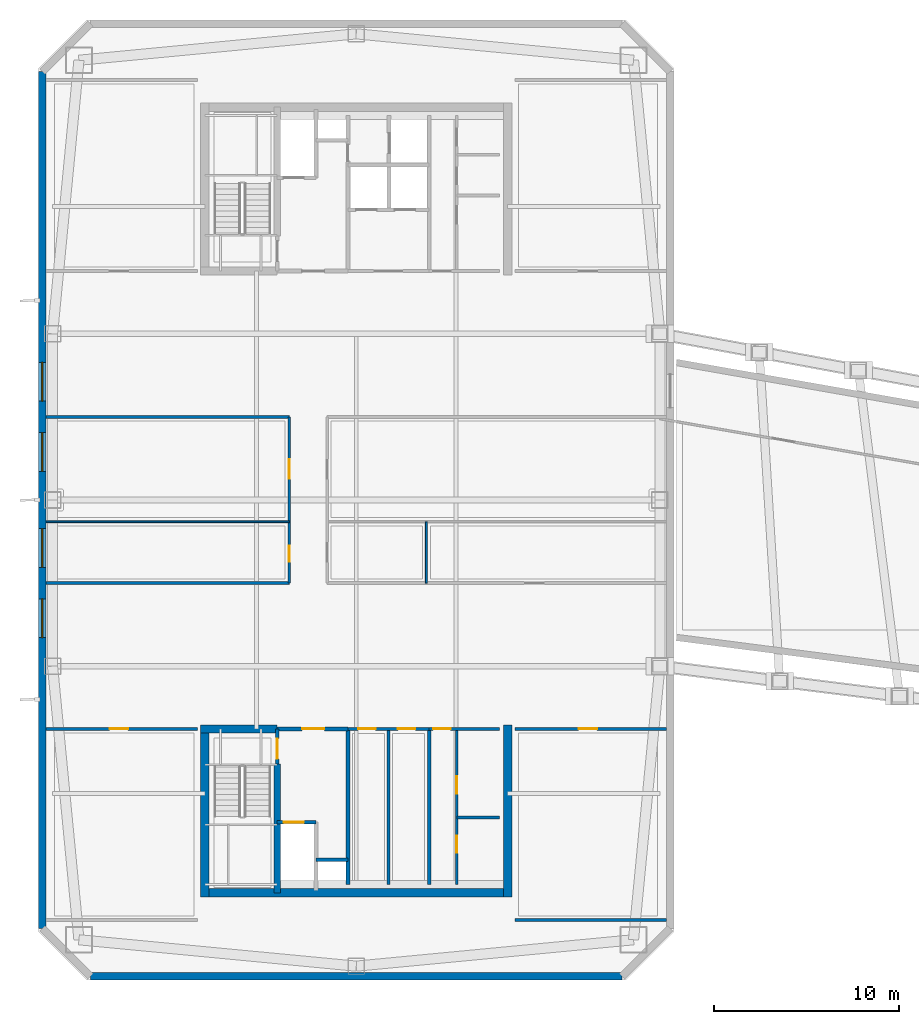
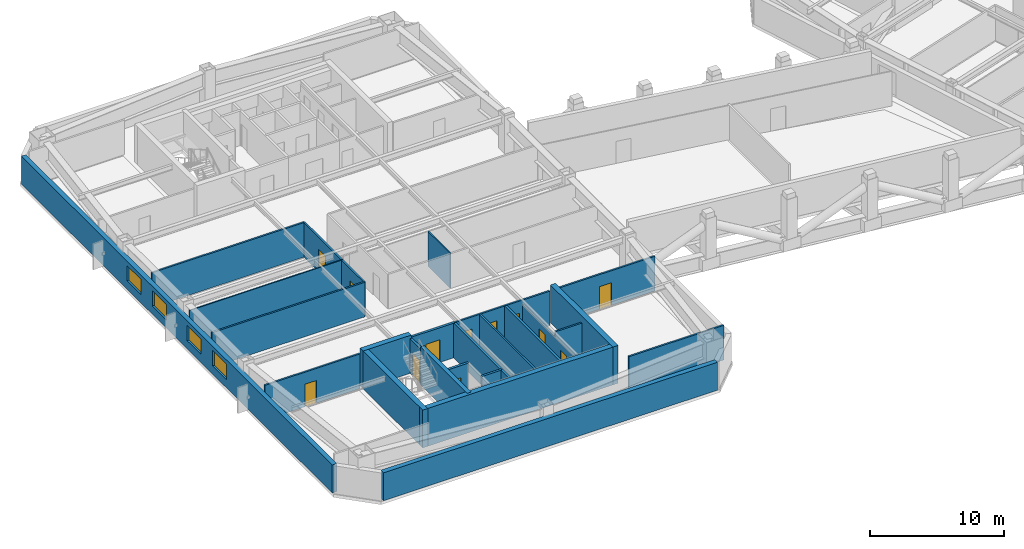
# One storey, part 6 of 19: 26 walls, 12 doors, 4 windows, 16 openings.
"""IFC4 building model written with IfcOpenShell, lengths in metres."""

from ifc_helpers import new_model, si_unit, direction, frame, frame_2d, origin, place, context, subcontext, project, spatial, rectangle, extrude, material, layer, layer_set, type_object, element, fill, save


model = new_model("IFC4")

# Units and contexts
model_context = context("Model", 3, precision=1e-05, world=origin(), true_north=direction((0.0, 1.0)))
body_context = subcontext(model_context, "Body", "Model", "MODEL_VIEW")
ifc_project = project(units=[si_unit("LENGTHUNIT", "METRE"), si_unit("AREAUNIT", "SQUARE_METRE"), si_unit("VOLUMEUNIT", "CUBIC_METRE"), si_unit("PLANEANGLEUNIT", "RADIAN"), si_unit("MASSUNIT", "GRAM", prefix="KILO")], contexts=[model_context])

# Site, building, storey
site_placement = place(None, origin())
site = spatial("IfcSite", under=ifc_project, at=site_placement, CompositionType="ELEMENT")
building_placement = place(site_placement, origin())
building = spatial("IfcBuilding", under=site, at=building_placement, Name="Qiaolan Cultural Towers", CompositionType="ELEMENT")
storey_placement = place(building_placement, frame((0.0, 0.0, 216.199951171875)))
storey = spatial("IfcBuildingStorey", under=building, at=storey_placement, Name="L58", CompositionType="ELEMENT", Elevation=216.199951171875)

# Walls
ifc_material_1 = material(Name="Concrete C50", Category="concrete")
ifc_layer_1 = layer(ifc_material_1, 0.35009765625)
ifc_layer_set_1 = layer_set([ifc_layer_1], Name="Concrete C50")
wall_type_1 = type_object("IfcWallType", Name="WL-CORE-350", PredefinedType="SHEAR", material=ifc_layer_set_1)
wall_1_placement = place(storey_placement, frame((25.719970703125, 19.699951171875, 0.0), z_axis=(0.0, 0.0, 1.0), x_axis=(0.0, -1.0, 0.0)))
element("IfcWall", 1, at=wall_1_placement, inside=storey, type_object=wall_type_1, Name="L58 T1-CS Stair Core Dividing Web", PredefinedType="SHEAR", context=body_context, shape_type="SweptSolid", body=[
    extrude(rectangle(XDim=6.97998046875, YDim=0.35009765625, at=frame_2d((3.489990234375, 0.0))), origin(), (0.0, 0.0, 1.0), 3.449951171875),
])
ifc_material_2 = material(Name="Concrete C50", Category="concrete")
ifc_layer_2 = layer(ifc_material_2, 0.449951171875)
ifc_layer_set_2 = layer_set([ifc_layer_2], Name="Concrete C50")
wall_type_2 = type_object("IfcWallType", Name="WL-CORE-450", PredefinedType="SHEAR", material=ifc_layer_set_2)
wall_2_placement = place(storey_placement, frame((21.574951171875, 12.719970703125, 0.0), z_axis=(0.0, 0.0, 1.0), x_axis=(1.0, 0.0, 0.0)))
element("IfcWall", 2, at=wall_2_placement, inside=storey, type_object=wall_type_2, Name="L58 T1-CS Outer Core Shear Wall", PredefinedType="SHEAR", context=body_context, shape_type="SweptSolid", body=[
    extrude(rectangle(XDim=16.85009765625, YDim=0.449951171875, at=frame_2d((8.425048828125, 0.0))), origin(), (0.0, 0.0, 1.0), 3.449951171875),
])
for number, where, z_axis, x_axis, name in (
    (3, (21.800048828125, 21.824951171875, 0.0), (0.0, 0.0, 1.0), (0.0, -1.0, 0.0), "L58 T1-CS West Core Shear Wall"),
    (4, (38.199951171875, 21.824951171875, 0.0), (0.0, 0.0, 1.0), (0.0, -1.0, 0.0), "L58 T1-CS East Core Shear Wall"),
):
    element("IfcWall", number, at=place(storey_placement, frame(where, z_axis=z_axis, x_axis=x_axis)), inside=storey, type_object=wall_type_2, Name=name, PredefinedType="SHEAR", context=body_context, shape_type="SweptSolid", body=[
        extrude(rectangle(XDim=9.329833984375, YDim=0.449951171875, at=frame_2d((4.6650390625, 0.0))), origin(), (0.0, 0.0, 1.0), 3.449951171875),
    ])
wall_3_placement = place(storey_placement, frame((21.574951171875, 21.60009765625, 0.0), z_axis=(0.0, 0.0, 1.0), x_axis=(1.0, 0.0, 0.0)))
element("IfcWall", 5, at=wall_3_placement, inside=storey, type_object=wall_type_2, Name="L58 T1-CS Stair Front Shear Wall", PredefinedType="SHEAR", context=body_context, shape_type="SweptSolid", body=[
    extrude(rectangle(XDim=4.14501953125, YDim=0.449951171875, at=frame_2d((2.072509765625, 0.0))), origin(), (0.0, 0.0, 1.0), 3.449951171875),
])

# Wall, openings, windows
ifc_material_3 = material(Name="Precast Concrete C50 Honed Stone Pier", Category="masonry")
ifc_layer_3 = layer(ifc_material_3, 0.39990234375)
ifc_layer_set_3 = layer_set([ifc_layer_3], Name="Precast Concrete C50 Honed Stone Pier")
wall_type_3 = type_object("IfcWallType", Name="WL-EXT-PIER-400", PredefinedType="SOLIDWALL", material=ifc_layer_set_3)
wall_4_placement = place(storey_placement, frame((13.0, 10.800048828125, 0.0), z_axis=(0.0, 0.0, 1.0), x_axis=(0.0, 1.0, 0.0)))
wall_4 = element("IfcWall", 6, at=wall_4_placement, inside=storey, type_object=wall_type_3, Name="L58 West Tower Precast Pier Facade Wall F1", PredefinedType="SOLIDWALL", context=body_context, shape_type="SweptSolid", body=[
    extrude(rectangle(XDim=46.39990234375, YDim=0.39990234375, at=frame_2d((23.199951171875, 0.0))), origin(), (0.0, 0.0, 1.0), 2.550048828125),
])
opening_1_placement = place(wall_4_placement, frame((15.75, 0.0, 0.75)))
opening_1 = element("IfcOpeningElement", 7, at=opening_1_placement, cuts=wall_4, Name="Opening W-05", PredefinedType="OPENING", context=body_context, shape_type="SweptSolid", body=[
    extrude(rectangle(XDim=2.10009765625, YDim=1.39990234375, at=frame_2d((1.050048828125, 0.699951171875))), frame((0.0, 0.2099609375, 0.0), z_axis=(0.0, -1.0, 0.0), x_axis=(1.0, 0.0, 0.0)), (0.0, 0.0, 1.0), 0.419921875),
])
opening_2_placement = place(wall_4_placement, frame((19.550048828125, 0.0, 0.75)))
opening_2 = element("IfcOpeningElement", 8, at=opening_2_placement, cuts=wall_4, Name="Opening W-05", PredefinedType="OPENING", context=body_context, shape_type="SweptSolid", body=[
    extrude(rectangle(XDim=2.10009765625, YDim=1.39990234375, at=frame_2d((1.050048828125, 0.699951171875))), frame((0.0, 0.2099609375, 0.0), z_axis=(0.0, -1.0, 0.0), x_axis=(1.0, 0.0, 0.0)), (0.0, 0.0, 1.0), 0.419921875),
])
opening_3_placement = place(wall_4_placement, frame((24.75, 0.0, 0.75)))
opening_3 = element("IfcOpeningElement", 9, at=opening_3_placement, cuts=wall_4, Name="Opening W-05", PredefinedType="OPENING", context=body_context, shape_type="SweptSolid", body=[
    extrude(rectangle(XDim=2.10009765625, YDim=1.39990234375, at=frame_2d((1.050048828125, 0.699951171875))), frame((0.0, 0.2099609375, 0.0), z_axis=(0.0, -1.0, 0.0), x_axis=(1.0, 0.0, 0.0)), (0.0, 0.0, 1.0), 0.419921875),
])
opening_4_placement = place(wall_4_placement, frame((28.550048828125, 0.0, 0.75)))
opening_4 = element("IfcOpeningElement", 10, at=opening_4_placement, cuts=wall_4, Name="Opening W-05", PredefinedType="OPENING", context=body_context, shape_type="SweptSolid", body=[
    extrude(rectangle(XDim=2.10009765625, YDim=1.39990234375, at=frame_2d((1.050048828125, 0.699951171875))), frame((0.0, 0.2099609375, 0.0), z_axis=(0.0, -1.0, 0.0), x_axis=(1.0, 0.0, 0.0)), (0.0, 0.0, 1.0), 0.419921875),
])
ifc_material_4 = material(Name="Thermally Broken Aluminium Triple Low-E Glazing", Category="aluminium")
window_type = type_object("IfcWindowType", Name="WN-CHIC-2100", PartitioningType="SINGLE_PANEL", PredefinedType="WINDOW", material=ifc_material_4)
window_1_placement = place(opening_1_placement, origin())
window_1 = element("IfcWindow", 11, at=window_1_placement, inside=storey, type_object=window_type, Name="L58 T1 W Chicago Bay Window 1", OverallHeight=1.39990234375, OverallWidth=2.10009765625, PartitioningType="TRIPLE_PANEL_VERTICAL", PredefinedType="WINDOW", context=body_context, shape_type="SweptSolid", body=[
    extrude(rectangle(XDim=2.10009765625, YDim=1.39990234375, at=frame_2d((1.050048828125, 0.699951171875))), frame((0.0, 0.030029296875, 0.0), z_axis=(0.0, -1.0, 0.0), x_axis=(1.0, 0.0, 0.0)), (0.0, 0.0, 1.0), 0.06005859375),
])
fill(opening_1, window_1)
window_2_placement = place(opening_2_placement, origin())
window_2 = element("IfcWindow", 12, at=window_2_placement, inside=storey, type_object=window_type, Name="L58 T1 W Chicago Bay Window 2", OverallHeight=1.39990234375, OverallWidth=2.10009765625, PartitioningType="TRIPLE_PANEL_VERTICAL", PredefinedType="WINDOW", context=body_context, shape_type="SweptSolid", body=[
    extrude(rectangle(XDim=2.10009765625, YDim=1.39990234375, at=frame_2d((1.050048828125, 0.699951171875))), frame((0.0, 0.030029296875, 0.0), z_axis=(0.0, -1.0, 0.0), x_axis=(1.0, 0.0, 0.0)), (0.0, 0.0, 1.0), 0.06005859375),
])
fill(opening_2, window_2)
window_3_placement = place(opening_3_placement, origin())
window_3 = element("IfcWindow", 13, at=window_3_placement, inside=storey, type_object=window_type, Name="L58 T1 W Chicago Bay Window 3", OverallHeight=1.39990234375, OverallWidth=2.10009765625, PartitioningType="TRIPLE_PANEL_VERTICAL", PredefinedType="WINDOW", context=body_context, shape_type="SweptSolid", body=[
    extrude(rectangle(XDim=2.10009765625, YDim=1.39990234375, at=frame_2d((1.050048828125, 0.699951171875))), frame((0.0, 0.030029296875, 0.0), z_axis=(0.0, -1.0, 0.0), x_axis=(1.0, 0.0, 0.0)), (0.0, 0.0, 1.0), 0.06005859375),
])
fill(opening_3, window_3)
window_4_placement = place(opening_4_placement, origin())
window_4 = element("IfcWindow", 14, at=window_4_placement, inside=storey, type_object=window_type, Name="L58 T1 W Chicago Bay Window 4", OverallHeight=1.39990234375, OverallWidth=2.10009765625, PartitioningType="TRIPLE_PANEL_VERTICAL", PredefinedType="WINDOW", context=body_context, shape_type="SweptSolid", body=[
    extrude(rectangle(XDim=2.10009765625, YDim=1.39990234375, at=frame_2d((1.050048828125, 0.699951171875))), frame((0.0, 0.030029296875, 0.0), z_axis=(0.0, -1.0, 0.0), x_axis=(1.0, 0.0, 0.0)), (0.0, 0.0, 1.0), 0.06005859375),
])
fill(opening_4, window_4)

# Wall
wall_5_placement = place(storey_placement, frame((44.39990234375, 8.199951171875, 0.0), z_axis=(0.0, 0.0, 1.0), x_axis=(-1.0, 0.0, 0.0)))
element("IfcWall", 15, at=wall_5_placement, inside=storey, type_object=wall_type_3, Name="L58 West Tower Precast Pier Facade Wall F7", PredefinedType="SOLIDWALL", context=body_context, shape_type="SweptSolid", body=[
    extrude(rectangle(XDim=28.7998046875, YDim=0.39990234375, at=frame_2d((14.39990234375, 0.0))), origin(), (0.0, 0.0, 1.0), 2.550048828125),
])

# Wall, opening, door
ifc_material_5 = material(Name="Concrete C35 Fire Wall", Category="concrete")
ifc_layer_4 = layer(ifc_material_5, 0.199951171875)
ifc_layer_set_4 = layer_set([ifc_layer_4], Name="Concrete C35 Fire Wall")
wall_type_4 = type_object("IfcWallType", Name="WL-FIRE-200", PredefinedType="PARTITIONING", material=ifc_layer_set_4)
wall_6_placement = place(storey_placement, frame((25.719970703125, 21.60009765625, 0.0), z_axis=(0.0, 0.0, 1.0), x_axis=(0.0, -1.0, 0.0)))
wall_6 = element("IfcWall", 16, at=wall_6_placement, inside=storey, type_object=wall_type_4, Name="L58 T1-CS Smokeproof Stair Entry Wall", PredefinedType="PARTITIONING", context=body_context, shape_type="SweptSolid", body=[
    extrude(rectangle(XDim=1.900146484375, YDim=0.199951171875, at=frame_2d((0.9501953125, 0.0))), origin(), (0.0, 0.0, 1.0), 3.155029296875),
])
opening_5_placement = place(wall_6_placement, frame((0.52001953125, 0.0, 0.0)))
opening_5 = element("IfcOpeningElement", 17, at=opening_5_placement, cuts=wall_6, Name="Opening FD-04", PredefinedType="OPENING", context=body_context, shape_type="SweptSolid", body=[
    extrude(rectangle(XDim=1.10009765625, YDim=2.050048828125, at=frame_2d((0.550048828125, 1.02490234375))), frame((0.0, 0.10986328125, 0.0), z_axis=(0.0, -1.0, 0.0), x_axis=(1.0, 0.0, 0.0)), (0.0, 0.0, 1.0), 0.219970703125),
])
ifc_material_6 = material(Name="Galvanized Steel Command Fire Door", Category="steel")
door_type_1 = type_object("IfcDoorType", Name="DR-FD90-1100", OperationType="NOTDEFINED", PredefinedType="DOOR", material=ifc_material_6)
door_1_placement = place(opening_5_placement, origin())
door_1 = element("IfcDoor", 18, at=door_1_placement, inside=storey, type_object=door_type_1, Name="L58 ST-W1 Smokeproof Stair Fire Door", OperationType="SINGLE_SWING_LEFT", OverallHeight=2.050048828125, OverallWidth=1.10009765625, PredefinedType="DOOR", context=body_context, shape_type="SweptSolid", body=[
    extrude(rectangle(XDim=1.10009765625, YDim=2.050048828125, at=frame_2d((0.550048828125, 1.02490234375))), frame((0.0, 0.02490234375, 0.0), z_axis=(0.0, -1.0, 0.0), x_axis=(1.0, 0.0, 0.0)), (0.0, 0.0, 1.0), 0.050048828125),
])
fill(opening_5, door_1)

# Wall
wall_7_placement = place(storey_placement, frame((29.550048828125, 21.60009765625, 0.0), z_axis=(0.0, 0.0, 1.0), x_axis=(0.0, -1.0, 0.0)))
element("IfcWall", 19, at=wall_7_placement, inside=storey, type_object=wall_type_4, Name="L58 T1-CS Firefighting Zone Wall", PredefinedType="PARTITIONING", context=body_context, shape_type="SweptSolid", body=[
    extrude(rectangle(XDim=8.43017578125, YDim=0.199951171875, at=frame_2d((4.215087890625, 0.0))), origin(), (0.0, 0.0, 1.0), 3.155029296875),
])

# Wall, opening, door
wall_8_placement = place(storey_placement, frame((25.719970703125, 21.60009765625, 0.0), z_axis=(0.0, 0.0, 1.0), x_axis=(1.0, 0.0, 0.0)))
wall_8 = element("IfcWall", 20, at=wall_8_placement, inside=storey, type_object=wall_type_4, Name="L58 T1-CS Firefighting Lobby Front Wall", PredefinedType="PARTITIONING", context=body_context, shape_type="SweptSolid", body=[
    extrude(rectangle(XDim=3.830078125, YDim=0.199951171875, at=frame_2d((1.9150390625, 0.0))), origin(), (0.0, 0.0, 1.0), 3.155029296875),
])
opening_6_placement = place(wall_8_placement, frame((1.35009765625, 0.0, 0.0)))
opening_6 = element("IfcOpeningElement", 21, at=opening_6_placement, cuts=wall_8, Name="Opening FD-03", PredefinedType="OPENING", context=body_context, shape_type="SweptSolid", body=[
    extrude(rectangle(XDim=1.199951171875, YDim=2.050048828125, at=frame_2d((0.60009765625, 1.02490234375))), frame((0.0, 0.10986328125, 0.0), z_axis=(0.0, -1.0, 0.0), x_axis=(1.0, 0.0, 0.0)), (0.0, 0.0, 1.0), 0.219970703125),
])
ifc_material_7 = material(Name="Galvanized Steel Smokeproof Lobby Fire Door", Category="steel")
door_type_2 = type_object("IfcDoorType", Name="DR-FD90-1200", OperationType="NOTDEFINED", PredefinedType="DOOR", material=ifc_material_7)
door_2_placement = place(opening_6_placement, origin())
door_2 = element("IfcDoor", 22, at=door_2_placement, inside=storey, type_object=door_type_2, Name="L58 FFL-W1 Firefighting Lobby Fire Door", OperationType="SINGLE_SWING_LEFT", OverallHeight=2.050048828125, OverallWidth=1.199951171875, PredefinedType="DOOR", context=body_context, shape_type="SweptSolid", body=[
    extrude(rectangle(XDim=1.199951171875, YDim=2.050048828125, at=frame_2d((0.60009765625, 1.02490234375))), frame((0.0, 0.02490234375, 0.0), z_axis=(0.0, -1.0, 0.0), x_axis=(1.0, 0.0, 0.0)), (0.0, 0.0, 1.0), 0.050048828125),
])
fill(opening_6, door_2)

wall_9_placement = place(storey_placement, frame((25.719970703125, 16.550048828125, 0.0), z_axis=(0.0, 0.0, 1.0), x_axis=(1.0, 0.0, 0.0)))
wall_9 = element("IfcWall", 23, at=wall_9_placement, inside=storey, type_object=wall_type_4, Name="L58 T1-CS Firefighting Shaft Front Wall", PredefinedType="PARTITIONING", context=body_context, shape_type="SweptSolid", body=[
    extrude(rectangle(XDim=2.10009765625, YDim=0.199951171875, at=frame_2d((1.050048828125, 0.0))), origin(), (0.0, 0.0, 1.0), 3.155029296875),
])
opening_7_placement = place(wall_9_placement, frame((0.35009765625, 0.0, 0.0)))
opening_7 = element("IfcOpeningElement", 24, at=opening_7_placement, cuts=wall_9, Name="Opening LD-01", PredefinedType="OPENING", context=body_context, shape_type="SweptSolid", body=[
    extrude(rectangle(XDim=1.10009765625, YDim=2.050048828125, at=frame_2d((0.550048828125, 1.02490234375))), frame((0.0, 0.10986328125, 0.0), z_axis=(0.0, -1.0, 0.0), x_axis=(1.0, 0.0, 0.0)), (0.0, 0.0, 1.0), 0.219970703125),
])
ifc_material_8 = material(Name="Brushed Stainless Steel S30408 Centre-Parting Lift Landing Door", Category="steel")
door_type_3 = type_object("IfcDoorType", Name="DR-LIFT-1100", OperationType="NOTDEFINED", PredefinedType="DOOR", material=ifc_material_8)
door_3_placement = place(opening_7_placement, origin())
door_3 = element("IfcDoor", 25, at=door_3_placement, inside=storey, type_object=door_type_3, Name="L58 FFL-W1 Firefighting Lift Landing Door", OperationType="DOUBLE_DOOR_SLIDING", OverallHeight=2.050048828125, OverallWidth=1.10009765625, PredefinedType="DOOR", context=body_context, shape_type="SweptSolid", body=[
    extrude(rectangle(XDim=1.10009765625, YDim=2.050048828125, at=frame_2d((0.550048828125, 1.02490234375))), frame((0.0, 0.02490234375, 0.0), z_axis=(0.0, -1.0, 0.0), x_axis=(1.0, 0.0, 0.0)), (0.0, 0.0, 1.0), 0.050048828125),
])
fill(opening_7, door_3)

# Walls
wall_10_placement = place(storey_placement, frame((27.820068359375, 14.52001953125, 0.0), z_axis=(0.0, 0.0, 1.0), x_axis=(1.0, 0.0, 0.0)))
element("IfcWall", 26, at=wall_10_placement, inside=storey, type_object=wall_type_4, Name="L58 T1-CS Pressurization Shaft Front Wall", PredefinedType="PARTITIONING", context=body_context, shape_type="SweptSolid", body=[
    extrude(rectangle(XDim=1.72998046875, YDim=0.199951171875, at=frame_2d((0.864990234375, 0.0))), origin(), (0.0, 0.0, 1.0), 3.155029296875),
])
wall_11_placement = place(storey_placement, frame((33.949951171875, 21.60009765625, 0.0), z_axis=(0.0, 0.0, 1.0), x_axis=(0.0, -1.0, 0.0)))
element("IfcWall", 27, at=wall_11_placement, inside=storey, type_object=wall_type_4, Name="L58 T1-CS Lift Core East Wall", PredefinedType="PARTITIONING", context=body_context, shape_type="SweptSolid", body=[
    extrude(rectangle(XDim=8.43017578125, YDim=0.199951171875, at=frame_2d((4.215087890625, 0.0))), origin(), (0.0, 0.0, 1.0), 3.155029296875),
])
ifc_material_9 = material(Name="Acoustic Double-Glazed Partition Frame", Category="glass")
ifc_layer_5 = layer(ifc_material_9, 0.10009765625)
ifc_layer_set_5 = layer_set([ifc_layer_5], Name="Acoustic Double-Glazed Partition Frame")
wall_type_5 = type_object("IfcWallType", Name="WL-GLAZED-100", PredefinedType="MOVABLE", material=ifc_layer_set_5)
wall_12_placement = place(storey_placement, frame((13.199951171875, 32.820068359375, 0.0), z_axis=(0.0, 0.0, 1.0), x_axis=(1.0, 0.0, 0.0)))
element("IfcWall", 28, at=wall_12_placement, inside=storey, type_object=wall_type_5, Name="L58 T1 Interior Wall", PredefinedType="MOVABLE", context=body_context, shape_type="SweptSolid", body=[
    extrude(rectangle(XDim=13.175048828125, YDim=0.10009765625, at=frame_2d((6.58740234375, 0.0))), origin(), (0.0, 0.0, 1.0), 3.155029296875),
])
wall_13_placement = place(storey_placement, frame((33.800048828125, 29.5, 0.0), z_axis=(0.0, 0.0, 1.0), x_axis=(0.0, 1.0, 0.0)))
element("IfcWall", 29, at=wall_13_placement, inside=storey, type_object=wall_type_5, Name="L58 T1 Interior Wall", PredefinedType="MOVABLE", context=body_context, shape_type="SweptSolid", body=[
    extrude(rectangle(XDim=3.320068359375, YDim=0.10009765625, at=frame_2d((1.66015625, 0.0))), origin(), (0.0, 0.0, 1.0), 3.155029296875),
])

# Wall, openings, doors
ifc_material_10 = material(Name="Autoclaved Aerated Concrete Block B06", Category="concrete")
ifc_layer_6 = layer(ifc_material_10, 0.14990234375)
ifc_layer_set_6 = layer_set([ifc_layer_6], Name="Autoclaved Aerated Concrete Block B06")
wall_type_6 = type_object("IfcWallType", Name="WL-PART-150", PredefinedType="PARTITIONING", material=ifc_layer_set_6)
wall_14_placement = place(storey_placement, frame((29.550048828125, 21.60009765625, 0.0), z_axis=(0.0, 0.0, 1.0), x_axis=(1.0, 0.0, 0.0)))
wall_14 = element("IfcWall", 30, at=wall_14_placement, inside=storey, type_object=wall_type_6, Name="L58 T1-CS Reclaimed Core Room Front Wall", PredefinedType="PARTITIONING", context=body_context, shape_type="SweptSolid", body=[
    extrude(rectangle(XDim=4.39990234375, YDim=0.14990234375, at=frame_2d((2.199951171875, 0.0))), origin(), (0.0, 0.0, 1.0), 3.155029296875),
])
opening_8_placement = place(wall_14_placement, frame((0.550048828125, 0.0, 0.0)))
opening_8 = element("IfcOpeningElement", 31, at=opening_8_placement, cuts=wall_14, Name="Opening ID-05", PredefinedType="OPENING", context=body_context, shape_type="SweptSolid", body=[
    extrude(rectangle(XDim=0.949951171875, YDim=2.050048828125, at=frame_2d((0.47509765625, 1.02490234375))), frame((0.0, 0.0849609375, 0.0), z_axis=(0.0, -1.0, 0.0), x_axis=(1.0, 0.0, 0.0)), (0.0, 0.0, 1.0), 0.169921875),
])
opening_9_placement = place(wall_14_placement, frame((2.699951171875, 0.0, 0.0)))
opening_9 = element("IfcOpeningElement", 32, at=opening_9_placement, cuts=wall_14, Name="Opening ID-05", PredefinedType="OPENING", context=body_context, shape_type="SweptSolid", body=[
    extrude(rectangle(XDim=0.949951171875, YDim=2.050048828125, at=frame_2d((0.47509765625, 1.02490234375))), frame((0.0, 0.0849609375, 0.0), z_axis=(0.0, -1.0, 0.0), x_axis=(1.0, 0.0, 0.0)), (0.0, 0.0, 1.0), 0.169921875),
])
ifc_material_11 = material(Name="Fire-Rated Laminate Accessible Core Door", Category="timber")
door_type_4 = type_object("IfcDoorType", Name="DR-INT-950", OperationType="NOTDEFINED", PredefinedType="DOOR", material=ifc_material_11)
door_4_placement = place(opening_8_placement, origin())
door_4 = element("IfcDoor", 33, at=door_4_placement, inside=storey, type_object=door_type_4, Name="L58 Copy Print Room Door", OperationType="SINGLE_SWING_LEFT", OverallHeight=2.050048828125, OverallWidth=0.949951171875, PredefinedType="DOOR", context=body_context, shape_type="SweptSolid", body=[
    extrude(rectangle(XDim=0.949951171875, YDim=2.050048828125, at=frame_2d((0.47509765625, 1.02490234375))), frame((0.0, 0.02490234375, 0.0), z_axis=(0.0, -1.0, 0.0), x_axis=(1.0, 0.0, 0.0)), (0.0, 0.0, 1.0), 0.050048828125),
])
fill(opening_8, door_4)
door_5_placement = place(opening_9_placement, origin())
door_5 = element("IfcDoor", 34, at=door_5_placement, inside=storey, type_object=door_type_4, Name="L58 Tea Pantry Room Door", OperationType="SINGLE_SWING_RIGHT", OverallHeight=2.050048828125, OverallWidth=0.949951171875, PredefinedType="DOOR", context=body_context, shape_type="SweptSolid", body=[
    extrude(rectangle(XDim=0.949951171875, YDim=2.050048828125, at=frame_2d((0.47509765625, 1.02490234375))), frame((0.0, 0.02490234375, 0.0), z_axis=(0.0, -1.0, 0.0), x_axis=(1.0, 0.0, 0.0)), (0.0, 0.0, 1.0), 0.050048828125),
])
fill(opening_9, door_5)

# Wall
wall_15_placement = place(storey_placement, frame((31.75, 21.60009765625, 0.0), z_axis=(0.0, 0.0, 1.0), x_axis=(0.0, -1.0, 0.0)))
element("IfcWall", 35, at=wall_15_placement, inside=storey, type_object=wall_type_6, Name="L58 T1-CS Reclaimed Twin Room Wall", PredefinedType="PARTITIONING", context=body_context, shape_type="SweptSolid", body=[
    extrude(rectangle(XDim=8.43017578125, YDim=0.14990234375, at=frame_2d((4.215087890625, 0.0))), origin(), (0.0, 0.0, 1.0), 3.155029296875),
])

# Wall, opening, door
wall_16_placement = place(storey_placement, frame((33.949951171875, 21.60009765625, 0.0), z_axis=(0.0, 0.0, 1.0), x_axis=(1.0, 0.0, 0.0)))
wall_16 = element("IfcWall", 36, at=wall_16_placement, inside=storey, type_object=wall_type_6, Name="L58 T1-CS Sanitary Core Front Wall", PredefinedType="PARTITIONING", context=body_context, shape_type="SweptSolid", body=[
    extrude(rectangle(XDim=3.800048828125, YDim=0.14990234375, at=frame_2d((1.89990234375, 0.0))), origin(), (0.0, 0.0, 1.0), 3.155029296875),
])
opening_10_placement = place(wall_16_placement, frame((0.219970703125, 0.0, 0.0)))
opening_10 = element("IfcOpeningElement", 37, at=opening_10_placement, cuts=wall_16, Name="Opening ID-05", PredefinedType="OPENING", context=body_context, shape_type="SweptSolid", body=[
    extrude(rectangle(XDim=0.949951171875, YDim=2.050048828125, at=frame_2d((0.47509765625, 1.02490234375))), frame((0.0, 0.0849609375, 0.0), z_axis=(0.0, -1.0, 0.0), x_axis=(1.0, 0.0, 0.0)), (0.0, 0.0, 1.0), 0.169921875),
])
door_6_placement = place(opening_10_placement, origin())
door_6 = element("IfcDoor", 38, at=door_6_placement, inside=storey, type_object=door_type_4, Name="L58 Sanitary Lobby Door", OperationType="SINGLE_SWING_LEFT", OverallHeight=2.050048828125, OverallWidth=0.949951171875, PredefinedType="DOOR", context=body_context, shape_type="SweptSolid", body=[
    extrude(rectangle(XDim=0.949951171875, YDim=2.050048828125, at=frame_2d((0.47509765625, 1.02490234375))), frame((0.0, 0.02490234375, 0.0), z_axis=(0.0, -1.0, 0.0), x_axis=(1.0, 0.0, 0.0)), (0.0, 0.0, 1.0), 0.050048828125),
])
fill(opening_10, door_6)

# Wall, openings, doors
wall_17_placement = place(storey_placement, frame((35.449951171875, 21.60009765625, 0.0), z_axis=(0.0, 0.0, 1.0), x_axis=(0.0, -1.0, 0.0)))
wall_17 = element("IfcWall", 39, at=wall_17_placement, inside=storey, type_object=wall_type_6, Name="L58 T1-CS Washroom Split Wall", PredefinedType="PARTITIONING", context=body_context, shape_type="SweptSolid", body=[
    extrude(rectangle(XDim=8.43017578125, YDim=0.14990234375, at=frame_2d((4.215087890625, 0.0))), origin(), (0.0, 0.0, 1.0), 2.7451171875),
])
opening_11_placement = place(wall_17_placement, frame((2.550048828125, 0.0, 0.0)))
opening_11 = element("IfcOpeningElement", 40, at=opening_11_placement, cuts=wall_17, Name="Opening ID-05", PredefinedType="OPENING", context=body_context, shape_type="SweptSolid", body=[
    extrude(rectangle(XDim=0.949951171875, YDim=2.050048828125, at=frame_2d((0.47509765625, 1.02490234375))), frame((0.0, 0.0849609375, 0.0), z_axis=(0.0, -1.0, 0.0), x_axis=(1.0, 0.0, 0.0)), (0.0, 0.0, 1.0), 0.169921875),
])
opening_12_placement = place(wall_17_placement, frame((5.800048828125, 0.0, 0.0)))
opening_12 = element("IfcOpeningElement", 41, at=opening_12_placement, cuts=wall_17, Name="Opening ID-06", PredefinedType="OPENING", context=body_context, shape_type="SweptSolid", body=[
    extrude(rectangle(XDim=0.89990234375, YDim=2.050048828125, at=frame_2d((0.449951171875, 1.02490234375))), frame((0.0, 0.0849609375, 0.0), z_axis=(0.0, -1.0, 0.0), x_axis=(1.0, 0.0, 0.0)), (0.0, 0.0, 1.0), 0.169921875),
])
ifc_material_12 = material(Name="Fire-Rated Laminate Core Service Door", Category="timber")
door_type_5 = type_object("IfcDoorType", Name="DR-INT-900", OperationType="NOTDEFINED", PredefinedType="DOOR", material=ifc_material_12)
door_7_placement = place(opening_12_placement, origin())
door_7 = element("IfcDoor", 42, at=door_7_placement, inside=storey, type_object=door_type_5, Name="L58 First-Aid Room Door", OperationType="SINGLE_SWING_RIGHT", OverallHeight=2.050048828125, OverallWidth=0.89990234375, PredefinedType="DOOR", context=body_context, shape_type="SweptSolid", body=[
    extrude(rectangle(XDim=0.89990234375, YDim=2.050048828125, at=frame_2d((0.449951171875, 1.02490234375))), frame((0.0, 0.02490234375, 0.0), z_axis=(0.0, -1.0, 0.0), x_axis=(1.0, 0.0, 0.0)), (0.0, 0.0, 1.0), 0.050048828125),
])
fill(opening_12, door_7)
door_8_placement = place(opening_11_placement, origin())
door_8 = element("IfcDoor", 43, at=door_8_placement, inside=storey, type_object=door_type_4, Name="L58 Accessible Washroom Door", OperationType="SINGLE_SWING_LEFT", OverallHeight=2.050048828125, OverallWidth=0.949951171875, PredefinedType="DOOR", context=body_context, shape_type="SweptSolid", body=[
    extrude(rectangle(XDim=0.949951171875, YDim=2.050048828125, at=frame_2d((0.47509765625, 1.02490234375))), frame((0.0, 0.02490234375, 0.0), z_axis=(0.0, -1.0, 0.0), x_axis=(1.0, 0.0, 0.0)), (0.0, 0.0, 1.0), 0.050048828125),
])
fill(opening_11, door_8)

# Wall
wall_18_placement = place(storey_placement, frame((35.449951171875, 16.800048828125, 0.0), z_axis=(0.0, 0.0, 1.0), x_axis=(1.0, 0.0, 0.0)))
element("IfcWall", 44, at=wall_18_placement, inside=storey, type_object=wall_type_6, Name="L58 T1-CS First-Aid Wall", PredefinedType="PARTITIONING", context=body_context, shape_type="SweptSolid", body=[
    extrude(rectangle(XDim=2.300048828125, YDim=0.14990234375, at=frame_2d((1.14990234375, 0.0))), origin(), (0.0, 0.0, 1.0), 3.155029296875),
])

# Wall, opening, door
wall_19_placement = place(storey_placement, frame((13.199951171875, 21.60009765625, 0.0), z_axis=(0.0, 0.0, 1.0), x_axis=(1.0, 0.0, 0.0)))
wall_19 = element("IfcWall", 45, at=wall_19_placement, inside=storey, type_object=wall_type_6, Name="L58 T1 Flank Front FLK-SW", PredefinedType="PARTITIONING", context=body_context, shape_type="SweptSolid", body=[
    extrude(rectangle(XDim=8.199951171875, YDim=0.14990234375, at=frame_2d((4.10009765625, 0.0))), origin(), (0.0, 0.0, 1.0), 3.155029296875),
])
opening_13_placement = place(wall_19_placement, frame((3.444091796875, 0.0, 0.0)))
opening_13 = element("IfcOpeningElement", 46, at=opening_13_placement, cuts=wall_19, Name="Opening ID-04", PredefinedType="OPENING", context=body_context, shape_type="SweptSolid", body=[
    extrude(rectangle(XDim=1.0, YDim=2.050048828125, at=frame_2d((0.5, 1.02490234375))), frame((0.0, 0.0849609375, 0.0), z_axis=(0.0, -1.0, 0.0), x_axis=(1.0, 0.0, 0.0)), (0.0, 0.0, 1.0), 0.169921875),
])
ifc_material_13 = material(Name="Oak Veneer Acoustic Office Door", Category="timber")
door_type_6 = type_object("IfcDoorType", Name="DR-INT-1000", OperationType="NOTDEFINED", PredefinedType="DOOR", material=ifc_material_13)
door_9_placement = place(opening_13_placement, origin())
door_9 = element("IfcDoor", 47, at=door_9_placement, inside=storey, type_object=door_type_6, Name="L58 T1 Corner Studio Door", OperationType="SINGLE_SWING_LEFT", OverallHeight=2.050048828125, OverallWidth=1.0, PredefinedType="DOOR", context=body_context, shape_type="SweptSolid", body=[
    extrude(rectangle(XDim=1.0, YDim=2.050048828125, at=frame_2d((0.5, 1.02490234375))), frame((0.0, 0.02490234375, 0.0), z_axis=(0.0, -1.0, 0.0), x_axis=(1.0, 0.0, 0.0)), (0.0, 0.0, 1.0), 0.050048828125),
])
fill(opening_13, door_9)

# Wall
wall_20_placement = place(storey_placement, frame((38.60009765625, 11.25, 0.0), z_axis=(0.0, 0.0, 1.0), x_axis=(1.0, 0.0, 0.0)))
element("IfcWall", 48, at=wall_20_placement, inside=storey, type_object=wall_type_6, Name="L58 T1 Flank Wall FLK-SE", PredefinedType="PARTITIONING", context=body_context, shape_type="SweptSolid", body=[
    extrude(rectangle(XDim=8.199951171875, YDim=0.14990234375, at=frame_2d((4.10009765625, 0.0))), origin(), (0.0, 0.0, 1.0), 3.155029296875),
])

# Wall, opening, door
wall_21_placement = place(storey_placement, frame((38.60009765625, 21.60009765625, 0.0), z_axis=(0.0, 0.0, 1.0), x_axis=(1.0, 0.0, 0.0)))
wall_21 = element("IfcWall", 49, at=wall_21_placement, inside=storey, type_object=wall_type_6, Name="L58 T1 Flank Front FLK-SE", PredefinedType="PARTITIONING", context=body_context, shape_type="SweptSolid", body=[
    extrude(rectangle(XDim=8.199951171875, YDim=0.14990234375, at=frame_2d((4.10009765625, 0.0))), origin(), (0.0, 0.0, 1.0), 3.155029296875),
])
opening_14_placement = place(wall_21_placement, frame((3.444091796875, 0.0, 0.0)))
opening_14 = element("IfcOpeningElement", 50, at=opening_14_placement, cuts=wall_21, Name="Opening ID-04", PredefinedType="OPENING", context=body_context, shape_type="SweptSolid", body=[
    extrude(rectangle(XDim=1.0, YDim=2.050048828125, at=frame_2d((0.5, 1.02490234375))), frame((0.0, 0.0849609375, 0.0), z_axis=(0.0, -1.0, 0.0), x_axis=(1.0, 0.0, 0.0)), (0.0, 0.0, 1.0), 0.169921875),
])
door_10_placement = place(opening_14_placement, origin())
door_10 = element("IfcDoor", 51, at=door_10_placement, inside=storey, type_object=door_type_6, Name="L58 T1 Corner Studio Door", OperationType="SINGLE_SWING_LEFT", OverallHeight=2.050048828125, OverallWidth=1.0, PredefinedType="DOOR", context=body_context, shape_type="SweptSolid", body=[
    extrude(rectangle(XDim=1.0, YDim=2.050048828125, at=frame_2d((0.5, 1.02490234375))), frame((0.0, 0.02490234375, 0.0), z_axis=(0.0, -1.0, 0.0), x_axis=(1.0, 0.0, 0.0)), (0.0, 0.0, 1.0), 0.050048828125),
])
fill(opening_14, door_10)

# Walls
for number, where, z_axis, x_axis, name in (
    (52, (13.199951171875, 29.5, 0.0), (0.0, 0.0, 1.0), (1.0, 0.0, 0.0), "L58 T1 South Foyer West Wall"),
    (53, (13.199951171875, 38.5, 0.0), (0.0, 0.0, 1.0), (1.0, 0.0, 0.0), "L58 T1 North Foyer West Wall"),
):
    element("IfcWall", number, at=place(storey_placement, frame(where, z_axis=z_axis, x_axis=x_axis)), inside=storey, type_object=wall_type_6, Name=name, PredefinedType="PARTITIONING", context=body_context, shape_type="SweptSolid", body=[
        extrude(rectangle(XDim=13.175048828125, YDim=0.14990234375, at=frame_2d((6.58740234375, 0.0))), origin(), (0.0, 0.0, 1.0), 3.155029296875),
    ])

# Wall, openings, doors
wall_22_placement = place(storey_placement, frame((26.375, 29.5, 0.0), z_axis=(0.0, 0.0, 1.0), x_axis=(0.0, 1.0, 0.0)))
wall_22 = element("IfcWall", 54, at=wall_22_placement, inside=storey, type_object=wall_type_6, Name="L58 T1 Central Spine West Wall", PredefinedType="PARTITIONING", context=body_context, shape_type="SweptSolid", body=[
    extrude(rectangle(XDim=9.0, YDim=0.14990234375, at=frame_2d((4.5, 0.0))), origin(), (0.0, 0.0, 1.0), 3.155029296875),
])
opening_15_placement = place(wall_22_placement, frame((1.159912109375, 0.0, 0.0)))
opening_15 = element("IfcOpeningElement", 55, at=opening_15_placement, cuts=wall_22, Name="Opening ID-09", PredefinedType="OPENING", context=body_context, shape_type="SweptSolid", body=[
    extrude(rectangle(XDim=0.85009765625, YDim=2.050048828125, at=frame_2d((0.425048828125, 1.02490234375))), frame((0.0, 0.0849609375, 0.0), z_axis=(0.0, -1.0, 0.0), x_axis=(1.0, 0.0, 0.0)), (0.0, 0.0, 1.0), 0.169921875),
])
opening_16_placement = place(wall_22_placement, frame((5.659912109375, 0.0, 0.0)))
opening_16 = element("IfcOpeningElement", 56, at=opening_16_placement, cuts=wall_22, Name="Opening ID-07", PredefinedType="OPENING", context=body_context, shape_type="SweptSolid", body=[
    extrude(rectangle(XDim=1.050048828125, YDim=2.050048828125, at=frame_2d((0.52490234375, 1.02490234375))), frame((0.0, 0.0849609375, 0.0), z_axis=(0.0, -1.0, 0.0), x_axis=(1.0, 0.0, 0.0)), (0.0, 0.0, 1.0), 0.169921875),
])
ifc_material_14 = material(Name="Oak Veneer Consultation Door", Category="timber")
door_type_7 = type_object("IfcDoorType", Name="DR-INT-1050", OperationType="NOTDEFINED", PredefinedType="DOOR", material=ifc_material_14)
door_11_placement = place(opening_16_placement, origin())
door_11 = element("IfcDoor", 57, at=door_11_placement, inside=storey, type_object=door_type_7, Name="L58 T1 Botanical Lounge Door", OperationType="SINGLE_SWING_RIGHT", OverallHeight=2.050048828125, OverallWidth=1.050048828125, PredefinedType="DOOR", context=body_context, shape_type="SweptSolid", body=[
    extrude(rectangle(XDim=1.050048828125, YDim=2.050048828125, at=frame_2d((0.52490234375, 1.02490234375))), frame((0.0, 0.02490234375, 0.0), z_axis=(0.0, -1.0, 0.0), x_axis=(1.0, 0.0, 0.0)), (0.0, 0.0, 1.0), 0.050048828125),
])
fill(opening_16, door_11)
ifc_material_15 = material(Name="Moisture-Resistant Laminate Utility Door", Category="timber")
door_type_8 = type_object("IfcDoorType", Name="DR-INT-850", OperationType="NOTDEFINED", PredefinedType="DOOR", material=ifc_material_15)
door_12_placement = place(opening_15_placement, origin())
door_12 = element("IfcDoor", 58, at=door_12_placement, inside=storey, type_object=door_type_8, Name="L58 T1 Sky Park Cultural Salon Door", OperationType="SINGLE_SWING_LEFT", OverallHeight=2.050048828125, OverallWidth=0.85009765625, PredefinedType="DOOR", context=body_context, shape_type="SweptSolid", body=[
    extrude(rectangle(XDim=0.85009765625, YDim=2.050048828125, at=frame_2d((0.425048828125, 1.02490234375))), frame((0.0, 0.02490234375, 0.0), z_axis=(0.0, -1.0, 0.0), x_axis=(1.0, 0.0, 0.0)), (0.0, 0.0, 1.0), 0.050048828125),
])
fill(opening_15, door_12)

save(model, "model.ifc")
